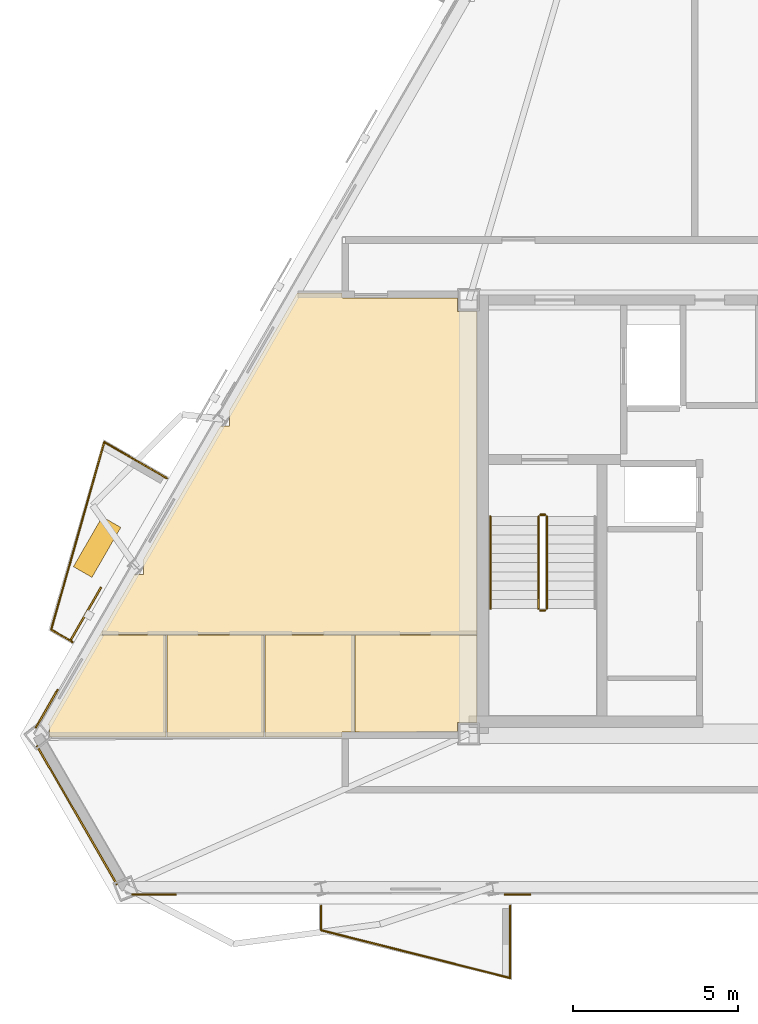
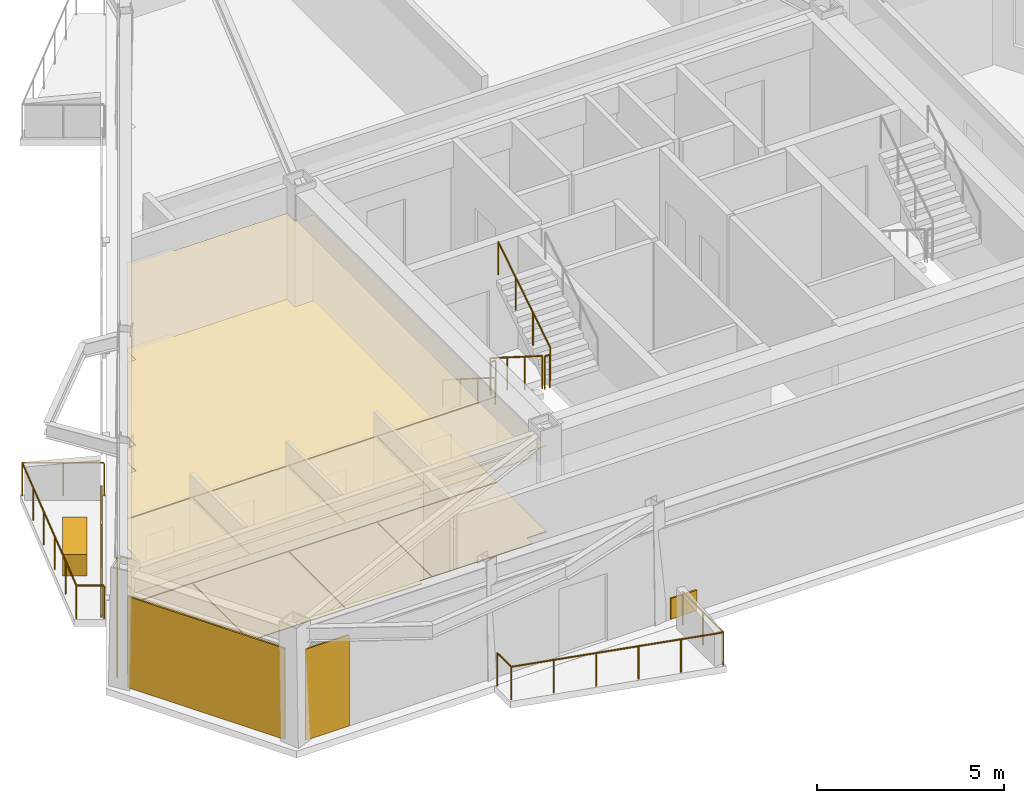
# One storey, part 6 of 9: 15 coverings, 11 railings, 1 shading device.
"""IFC4 building model written with IfcOpenShell, lengths in metres."""

from ifc_helpers import new_model, si_unit, direction, frame, origin, origin_2d, place, context, subcontext, project, spatial, polyline, rectangle, circle, outline, extrude, material, layer, layer_set, type_object, element, save


model = new_model("IFC4")

# Units and contexts
model_context = context("Model", 3, precision=1e-05, world=origin(), true_north=direction((0.0, 1.0)))
body_context = subcontext(model_context, "Body", "Model", "MODEL_VIEW")
ifc_project = project(units=[si_unit("LENGTHUNIT", "METRE"), si_unit("AREAUNIT", "SQUARE_METRE"), si_unit("VOLUMEUNIT", "CUBIC_METRE"), si_unit("PLANEANGLEUNIT", "RADIAN"), si_unit("MASSUNIT", "GRAM", prefix="KILO")], contexts=[model_context])

# Site, building, storey
site_placement = place(None, origin())
site = spatial("IfcSite", under=ifc_project, at=site_placement, CompositionType="ELEMENT")
building_placement = place(site_placement, origin())
building = spatial("IfcBuilding", under=site, at=building_placement, Name="Oramaril Tower", CompositionType="ELEMENT")
storey_placement = place(building_placement, frame((0.0, 0.0, 253.800048828125)))
storey = spatial("IfcBuildingStorey", under=building, at=storey_placement, Name="L67", CompositionType="ELEMENT", Elevation=253.800048828125)

# Coverings
ifc_material_1 = material(Name="Mineral Fibre Acoustic Ceiling")
ifc_layer_1 = layer(ifc_material_1, 0.02001953125)
ifc_layer_set_1 = layer_set([ifc_layer_1], Name="CVT-CEIL")
covering_type_1 = type_object("IfcCoveringType", Name="CVT-CEIL", PredefinedType="CEILING", material=ifc_layer_set_1)
covering_1_placement = place(storey_placement, frame((0.0, 0.0, 2.81201171875)))
element("IfcCovering", 1, at=covering_1_placement, inside=storey, type_object=covering_type_1, Name="L67 Acoustic Suspended Ceiling 4", PredefinedType="CEILING", context=body_context, shape_type="SweptSolid", body=[
    extrude(outline(polyline([(19.214111328125, 15.827392578125), (19.486083984375, 15.827392578125), (19.486083984375, 16.28564453125), (19.478759765625, 16.28564453125), (21.814697265625, 20.331787109375), (22.086669921875, 20.331787109375), (22.086669921875, 20.7841796875), (22.075927734375, 20.7841796875), (24.1416015625, 24.362060546875), (25.5, 24.362060546875), (25.5, 24.239990234375), (25.5, 24.238037109375), (25.50048828125, 24.236083984375), (25.5009765625, 24.234130859375), (25.50146484375, 24.232421875), (25.50244140625, 24.230712890625), (25.50341796875, 24.22900390625), (25.50439453125, 24.227294921875), (25.505859375, 24.225830078125), (25.50732421875, 24.224609375), (25.5087890625, 24.223388671875), (25.510498046875, 24.222412109375), (25.51220703125, 24.221435546875), (25.51416015625, 24.220947265625), (25.51611328125, 24.220458984375), (25.51806640625, 24.22021484375), (25.52001953125, 24.219970703125), (29.0048828125, 24.219970703125), (29.0048828125, 23.804931640625), (29.60009765625, 23.804931640625), (29.60009765625, 14.008056640625), (18.163818359375, 14.008056640625), (19.214111328125, 15.827392578125)])), origin(), (0.0, 0.0, 1.0), 0.02001953125),
])
covering_2_placement = place(storey_placement, frame((0.0, 0.0, 2.81201171875)))
element("IfcCovering", 2, at=covering_2_placement, inside=storey, type_object=covering_type_1, Name="L67 Acoustic Suspended Ceiling 5", PredefinedType="CEILING", context=body_context, shape_type="SweptSolid", body=[
    extrude(outline(polyline([(20.16845703125, 10.907958984375), (16.62744140625, 10.907958984375), (16.62744140625, 11.258056640625), (16.576171875, 11.258056640625), (18.15380859375, 13.99072265625), (18.154296875, 13.990478515625), (18.156005859375, 13.989501953125), (18.15771484375, 13.989013671875), (18.159912109375, 13.98828125), (18.16162109375, 13.988037109375), (18.163818359375, 13.988037109375), (20.16845703125, 13.988037109375), (20.16845703125, 10.907958984375)])), origin(), (0.0, 0.0, 1.0), 0.02001953125),
])
covering_3_placement = place(storey_placement, frame((0.0, 0.0, 2.81201171875)))
element("IfcCovering", 3, at=covering_3_placement, inside=storey, type_object=covering_type_1, Name="L67 Acoustic Suspended Ceiling 6", PredefinedType="CEILING", context=body_context, shape_type="SweptSolid", body=[
    extrude(outline(polyline([(23.13818359375, 10.907958984375), (20.1884765625, 10.907958984375), (20.1884765625, 13.988037109375), (23.13818359375, 13.988037109375), (23.13818359375, 10.907958984375)])), origin(), (0.0, 0.0, 1.0), 0.02001953125),
])
covering_4_placement = place(storey_placement, frame((0.0, 0.0, 2.81201171875)))
element("IfcCovering", 4, at=covering_4_placement, inside=storey, type_object=covering_type_1, Name="L67 Acoustic Suspended Ceiling 7", PredefinedType="CEILING", context=body_context, shape_type="SweptSolid", body=[
    extrude(outline(polyline([(25.8740234375, 11.050048828125), (25.52001953125, 11.050048828125), (25.51806640625, 11.0498046875), (25.51611328125, 11.049560546875), (25.51416015625, 11.049072265625), (25.51220703125, 11.048583984375), (25.510498046875, 11.047607421875), (25.5087890625, 11.046630859375), (25.50732421875, 11.04541015625), (25.505859375, 11.044189453125), (25.50439453125, 11.042724609375), (25.50341796875, 11.041015625), (25.50244140625, 11.039306640625), (25.50146484375, 11.03759765625), (25.5009765625, 11.035888671875), (25.50048828125, 11.033935546875), (25.5, 11.031982421875), (25.5, 11.030029296875), (25.5, 10.907958984375), (23.158203125, 10.907958984375), (23.158203125, 13.988037109375), (25.8740234375, 13.988037109375), (25.8740234375, 11.050048828125)])), origin(), (0.0, 0.0, 1.0), 0.02001953125),
])
covering_5_placement = place(storey_placement, frame((0.0, 0.0, 2.81201171875)))
element("IfcCovering", 5, at=covering_5_placement, inside=storey, type_object=covering_type_1, Name="L67 Acoustic Suspended Ceiling 8", PredefinedType="CEILING", context=body_context, shape_type="SweptSolid", body=[
    extrude(outline(polyline([(29.60009765625, 11.344970703125), (29.0048828125, 11.344970703125), (29.0048828125, 11.050048828125), (25.89404296875, 11.050048828125), (25.89404296875, 13.988037109375), (29.60009765625, 13.988037109375), (29.60009765625, 11.344970703125)])), origin(), (0.0, 0.0, 1.0), 0.02001953125),
])
ifc_material_2 = material(Name="Warm Cream Limestone", Category="masonry")
ifc_layer_2 = layer(ifc_material_2, 0.050048828125)
ifc_layer_set_2 = layer_set([ifc_layer_2], Name="CVT-CLD")
covering_type_2 = type_object("IfcCoveringType", Name="CVT-CLD", PredefinedType="CLADDING", material=ifc_layer_set_2)
covering_6_placement = place(storey_placement, frame((17.46240234375, 8.53125, 0.0400390625), z_axis=(0.0, 0.0, 1.0), x_axis=(0.500006045986, -0.866021913105, 0.0)))
element("IfcCovering", 6, at=covering_6_placement, inside=storey, type_object=covering_type_2, Name="L67 Warm Cream Limestone Cladding", PredefinedType="CLADDING", context=body_context, shape_type="SweptSolid", body=[
    extrude(rectangle(XDim=4.864501953125, YDim=0.050048828125, at=origin_2d()), origin(), (0.0, 0.0, 1.0), 2.97802734375),
])
covering_7_placement = place(storey_placement, frame((19.798828125, 6.124267578125, 0.0400390625), z_axis=(0.0, 0.0, 1.0), x_axis=(1.0, 0.0, 0.0)))
element("IfcCovering", 7, at=covering_7_placement, inside=storey, type_object=covering_type_2, Name="L67 Warm Cream Limestone Cladding", PredefinedType="CLADDING", context=body_context, shape_type="SweptSolid", body=[
    extrude(rectangle(XDim=1.35009765625, YDim=0.050048828125, at=origin_2d()), origin(), (0.0, 0.0, 1.0), 2.97802734375),
])
covering_8_placement = place(storey_placement, frame((30.821533203125, 6.124267578125, 0.0400390625), z_axis=(0.0, 0.0, 1.0), x_axis=(1.0, 0.0, 0.0)))
element("IfcCovering", 8, at=covering_8_placement, inside=storey, type_object=covering_type_2, Name="L67 Warm Cream Limestone Spandrel Cladding", PredefinedType="CLADDING", context=body_context, shape_type="SweptSolid", body=[
    extrude(rectangle(XDim=0.800048828125, YDim=0.050048828125, at=origin_2d()), origin(), (0.0, 0.0, 1.0), 0.679931640625),
])
covering_9_placement = place(storey_placement, frame((16.546142578125, 11.75830078125, 0.0400390625), z_axis=(0.0, 0.0, 1.0), x_axis=(-0.500001511499, -0.866024531118, 0.0)))
element("IfcCovering", 9, at=covering_9_placement, inside=storey, type_object=covering_type_2, Name="L67 Warm Cream Limestone Cladding", PredefinedType="CLADDING", context=body_context, shape_type="SweptSolid", body=[
    extrude(rectangle(XDim=1.35009765625, YDim=0.050048828125, at=origin_2d()), origin(), (0.0, 0.0, 1.0), 2.97802734375),
])
covering_10_placement = place(storey_placement, frame((18.073486328125, 16.660888671875, 0.0), z_axis=(0.0, 0.0, 1.0), x_axis=(-0.500001511499, -0.866024531118, 0.0)))
element("IfcCovering", 10, at=covering_10_placement, inside=storey, type_object=covering_type_2, Name="L67 Structural Tree Planter Box L67-BAL-NW2", PredefinedType="CLADDING", context=body_context, shape_type="SweptSolid", body=[
    extrude(rectangle(XDim=1.75, YDim=0.64990234375, at=origin_2d()), origin(), (0.0, 0.0, 1.0), 0.699951171875),
])
ifc_material_3 = material(Name="Honed Quartzite Stone Flooring", Category="masonry")
ifc_layer_3 = layer(ifc_material_3, 0.02490234375)
ifc_layer_set_3 = layer_set([ifc_layer_3], Name="CVT-FLR")
covering_type_3 = type_object("IfcCoveringType", Name="CVT-FLR", PredefinedType="FLOORING", material=ifc_layer_set_3)
covering_11_placement = place(storey_placement, origin())
element("IfcCovering", 11, at=covering_11_placement, inside=storey, type_object=covering_type_3, Name="L67 Honed Stone Floor Finish 4", PredefinedType="FLOORING", context=body_context, shape_type="SweptSolid", body=[
    extrude(outline(polyline([(19.214111328125, 15.827392578125), (19.486083984375, 15.827392578125), (19.486083984375, 16.28564453125), (19.478759765625, 16.28564453125), (21.814697265625, 20.331787109375), (22.086669921875, 20.331787109375), (22.086669921875, 20.7841796875), (22.075927734375, 20.7841796875), (24.1416015625, 24.362060546875), (25.5, 24.362060546875), (25.5, 24.239990234375), (25.5, 24.238037109375), (25.50048828125, 24.236083984375), (25.5009765625, 24.234130859375), (25.50146484375, 24.232421875), (25.50244140625, 24.230712890625), (25.50341796875, 24.22900390625), (25.50439453125, 24.227294921875), (25.505859375, 24.225830078125), (25.50732421875, 24.224609375), (25.5087890625, 24.223388671875), (25.510498046875, 24.222412109375), (25.51220703125, 24.221435546875), (25.51416015625, 24.220947265625), (25.51611328125, 24.220458984375), (25.51806640625, 24.22021484375), (25.52001953125, 24.219970703125), (29.0048828125, 24.219970703125), (29.0048828125, 23.804931640625), (29.60009765625, 23.804931640625), (29.60009765625, 14.008056640625), (18.163818359375, 14.008056640625), (19.214111328125, 15.827392578125)])), origin(), (0.0, 0.0, 1.0), 0.02490234375),
])
covering_12_placement = place(storey_placement, origin())
element("IfcCovering", 12, at=covering_12_placement, inside=storey, type_object=covering_type_3, Name="L67 Honed Stone Floor Finish 5", PredefinedType="FLOORING", context=body_context, shape_type="SweptSolid", body=[
    extrude(outline(polyline([(20.16845703125, 10.907958984375), (16.62744140625, 10.907958984375), (16.62744140625, 11.258056640625), (16.576171875, 11.258056640625), (18.15380859375, 13.99072265625), (18.154296875, 13.990478515625), (18.156005859375, 13.989501953125), (18.15771484375, 13.989013671875), (18.159912109375, 13.98828125), (18.16162109375, 13.988037109375), (18.163818359375, 13.988037109375), (20.16845703125, 13.988037109375), (20.16845703125, 10.907958984375)])), origin(), (0.0, 0.0, 1.0), 0.02490234375),
])
covering_13_placement = place(storey_placement, origin())
element("IfcCovering", 13, at=covering_13_placement, inside=storey, type_object=covering_type_3, Name="L67 Honed Stone Floor Finish 6", PredefinedType="FLOORING", context=body_context, shape_type="SweptSolid", body=[
    extrude(outline(polyline([(23.13818359375, 10.907958984375), (20.1884765625, 10.907958984375), (20.1884765625, 13.988037109375), (23.13818359375, 13.988037109375), (23.13818359375, 10.907958984375)])), origin(), (0.0, 0.0, 1.0), 0.02490234375),
])
covering_14_placement = place(storey_placement, origin())
element("IfcCovering", 14, at=covering_14_placement, inside=storey, type_object=covering_type_3, Name="L67 Honed Stone Floor Finish 7", PredefinedType="FLOORING", context=body_context, shape_type="SweptSolid", body=[
    extrude(outline(polyline([(25.8740234375, 11.050048828125), (25.52001953125, 11.050048828125), (25.51806640625, 11.0498046875), (25.51611328125, 11.049560546875), (25.51416015625, 11.049072265625), (25.51220703125, 11.048583984375), (25.510498046875, 11.047607421875), (25.5087890625, 11.046630859375), (25.50732421875, 11.04541015625), (25.505859375, 11.044189453125), (25.50439453125, 11.042724609375), (25.50341796875, 11.041015625), (25.50244140625, 11.039306640625), (25.50146484375, 11.03759765625), (25.5009765625, 11.035888671875), (25.50048828125, 11.033935546875), (25.5, 11.031982421875), (25.5, 11.030029296875), (25.5, 10.907958984375), (23.158203125, 10.907958984375), (23.158203125, 13.988037109375), (25.8740234375, 13.988037109375), (25.8740234375, 11.050048828125)])), origin(), (0.0, 0.0, 1.0), 0.02490234375),
])
covering_15_placement = place(storey_placement, origin())
element("IfcCovering", 15, at=covering_15_placement, inside=storey, type_object=covering_type_3, Name="L67 Honed Stone Floor Finish 8", PredefinedType="FLOORING", context=body_context, shape_type="SweptSolid", body=[
    extrude(outline(polyline([(29.60009765625, 11.344970703125), (29.0048828125, 11.344970703125), (29.0048828125, 11.050048828125), (25.89404296875, 11.050048828125), (25.89404296875, 13.988037109375), (29.60009765625, 13.988037109375), (29.60009765625, 11.344970703125)])), origin(), (0.0, 0.0, 1.0), 0.02490234375),
])

# Railings
ifc_material_4 = material(Name="Stainless Steel 316L", Category="steel")
railing_type_1 = type_object("IfcRailingType", Name="RLT-GRD", PredefinedType="GUARDRAIL", material=ifc_material_4)
railing_1_placement = place(storey_placement, frame((30.598388671875, 5.7841796875, 0.0)))
element("IfcRailing", 16, at=railing_1_placement, inside=storey, type_object=railing_type_1, Name="L67 Balcony Guardrail L67-BAL-S1.1", PredefinedType="GUARDRAIL", context=body_context, shape_type="SweptSolid", body=[
    extrude(circle(Radius=0.02392578125, at=origin_2d()), frame((0.0, 0.0, 1.076171875), z_axis=(0.0, -1.0, 0.0), x_axis=(1.0, 0.0, 0.0)), (0.0, 0.0, 1.0), 2.19189453125),
    extrude(circle(Radius=0.02099609375, at=origin_2d()), origin(), (0.0, 0.0, 1.0), 1.052001953125),
    extrude(circle(Radius=0.02099609375, at=origin_2d()), frame((0.0, -1.095947265625, 0.0)), (0.0, 0.0, 1.0), 1.052001953125),
    extrude(circle(Radius=0.02099609375, at=origin_2d()), frame((0.0, -2.19189453125, 0.0)), (0.0, 0.0, 1.0), 1.052001953125),
])
railing_2_placement = place(storey_placement, frame((30.598388671875, 3.59228515625, 0.0)))
element("IfcRailing", 17, at=railing_2_placement, inside=storey, type_object=railing_type_1, Name="L67 Balcony Guardrail L67-BAL-S1.2", PredefinedType="GUARDRAIL", context=body_context, shape_type="SweptSolid", body=[
    extrude(circle(Radius=0.02392578125, at=origin_2d()), frame((0.0, 0.0, 1.076171875), z_axis=(-0.969443611257, 0.245314256807, 0.0), x_axis=(-0.245314256807, -0.969443611257, 0.0)), (0.0, 0.0, 1.0), 5.91064453125),
    extrude(circle(Radius=0.02099609375, at=origin_2d()), origin(), (0.0, 0.0, 1.0), 1.052001953125),
    extrude(circle(Radius=0.02099609375, at=origin_2d()), frame((-1.14599609375, 0.2900390625, 0.0)), (0.0, 0.0, 1.0), 1.052001953125),
    extrude(circle(Radius=0.02099609375, at=origin_2d()), frame((-2.2919921875, 0.580078125, 0.0)), (0.0, 0.0, 1.0), 1.052001953125),
    extrude(circle(Radius=0.02099609375, at=origin_2d()), frame((-3.43798828125, 0.869873046875, 0.0)), (0.0, 0.0, 1.0), 1.052001953125),
    extrude(circle(Radius=0.02099609375, at=origin_2d()), frame((-4.583984375, 1.159912109375, 0.0)), (0.0, 0.0, 1.0), 1.052001953125),
    extrude(circle(Radius=0.02099609375, at=origin_2d()), frame((-5.72998046875, 1.449951171875, 0.0)), (0.0, 0.0, 1.0), 1.052001953125),
])
railing_3_placement = place(storey_placement, frame((24.868408203125, 5.042236328125, 0.0)))
element("IfcRailing", 18, at=railing_3_placement, inside=storey, type_object=railing_type_1, Name="L67 Balcony Guardrail L67-BAL-S1.3", PredefinedType="GUARDRAIL", context=body_context, shape_type="SweptSolid", body=[
    extrude(circle(Radius=0.02392578125, at=origin_2d()), frame((0.0, 0.0, 1.076171875), z_axis=(0.0, 1.0, 0.0), x_axis=(-1.0, 0.0, 0.0)), (0.0, 0.0, 1.0), 0.741943359375),
    extrude(circle(Radius=0.02099609375, at=origin_2d()), origin(), (0.0, 0.0, 1.0), 1.052001953125),
    extrude(circle(Radius=0.02099609375, at=origin_2d()), frame((0.0, 0.741943359375, 0.0)), (0.0, 0.0, 1.0), 1.052001953125),
])
railing_4_placement = place(storey_placement, frame((17.32373046875, 13.785400390625, 0.0)))
element("IfcRailing", 19, at=railing_4_placement, inside=storey, type_object=railing_type_1, Name="L67 Balcony Guardrail L67-BAL-NW2.1", PredefinedType="GUARDRAIL", context=body_context, shape_type="SweptSolid", body=[
    extrude(circle(Radius=0.02392578125, at=origin_2d()), frame((0.0, 0.0, 1.076171875), z_axis=(-0.865884080729, 0.500244698863, 0.0), x_axis=(-0.500244698863, -0.865884080729, 0.0)), (0.0, 0.0, 1.0), 0.741943359375),
    extrude(circle(Radius=0.02099609375, at=origin_2d()), origin(), (0.0, 0.0, 1.0), 1.052001953125),
    extrude(circle(Radius=0.02099609375, at=origin_2d()), frame((-0.642333984375, 0.37109375, 0.0)), (0.0, 0.0, 1.0), 1.052001953125),
])
railing_5_placement = place(storey_placement, frame((16.681396484375, 14.156494140625, 0.0)))
element("IfcRailing", 20, at=railing_5_placement, inside=storey, type_object=railing_type_1, Name="L67 Balcony Guardrail L67-BAL-NW2.2", PredefinedType="GUARDRAIL", context=body_context, shape_type="SweptSolid", body=[
    extrude(circle(Radius=0.02392578125, at=origin_2d()), frame((0.0, 0.0, 1.076171875), z_axis=(0.272259686627, 0.962223811303, 0.0), x_axis=(-0.962223811303, 0.272259686627, 0.0)), (0.0, 0.0, 1.0), 5.910400390625),
    extrude(circle(Radius=0.02099609375, at=origin_2d()), origin(), (0.0, 0.0, 1.0), 1.052001953125),
    extrude(circle(Radius=0.02099609375, at=origin_2d()), frame((0.32177734375, 1.137451171875, 0.0)), (0.0, 0.0, 1.0), 1.052001953125),
    extrude(circle(Radius=0.02099609375, at=origin_2d()), frame((0.6435546875, 2.27490234375, 0.0)), (0.0, 0.0, 1.0), 1.052001953125),
    extrude(circle(Radius=0.02099609375, at=origin_2d()), frame((0.965576171875, 3.412109375, 0.0)), (0.0, 0.0, 1.0), 1.052001953125),
    extrude(circle(Radius=0.02099609375, at=origin_2d()), frame((1.287353515625, 4.549560546875, 0.0)), (0.0, 0.0, 1.0), 1.052001953125),
    extrude(circle(Radius=0.02099609375, at=origin_2d()), frame((1.609130859375, 5.68701171875, 0.0)), (0.0, 0.0, 1.0), 1.052001953125),
])
railing_6_placement = place(storey_placement, frame((18.29052734375, 19.843505859375, 0.0)))
element("IfcRailing", 21, at=railing_6_placement, inside=storey, type_object=railing_type_1, Name="L67 Balcony Guardrail L67-BAL-NW2.3", PredefinedType="GUARDRAIL", context=body_context, shape_type="SweptSolid", body=[
    extrude(circle(Radius=0.02392578125, at=origin_2d()), frame((0.0, 0.0, 1.076171875), z_axis=(0.866020500697, -0.5000084923, 0.0), x_axis=(0.5000084923, 0.866020500697, 0.0)), (0.0, 0.0, 1.0), 2.19189453125),
    extrude(circle(Radius=0.02099609375, at=origin_2d()), origin(), (0.0, 0.0, 1.0), 1.052001953125),
    extrude(circle(Radius=0.02099609375, at=origin_2d()), frame((0.94921875, -0.5478515625, 0.0)), (0.0, 0.0, 1.0), 1.052001953125),
    extrude(circle(Radius=0.02099609375, at=origin_2d()), frame((1.898193359375, -1.095947265625, 0.0)), (0.0, 0.0, 1.0), 1.052001953125),
])
railing_7_placement = place(storey_placement, frame((31.4599609375, 17.590087890625, 0.17724609375)))
element("IfcRailing", 22, at=railing_7_placement, inside=storey, type_object=railing_type_1, Name="L67 ST-1 stair guard 1", PredefinedType="GUARDRAIL", context=body_context, shape_type="SweptSolid", body=[
    extrude(circle(Radius=0.02392578125, at=origin_2d()), frame((0.0, 0.0, 1.076171875), z_axis=(0.0, -0.844908973607, 0.534910110503), x_axis=(1.0, 0.0, 0.0)), (0.0, 0.0, 1.0), 3.31396484375),
    extrude(circle(Radius=0.02099609375, at=origin_2d()), origin(), (0.0, 0.0, 1.0), 1.052001953125),
    extrude(circle(Radius=0.02099609375, at=origin_2d()), frame((0.0, -0.933349609375, 0.5908203125)), (0.0, 0.0, 1.0), 1.052001953125),
    extrude(circle(Radius=0.02099609375, at=origin_2d()), frame((0.0, -1.86669921875, 1.181884765625)), (0.0, 0.0, 1.0), 1.052001953125),
    extrude(circle(Radius=0.02099609375, at=origin_2d()), frame((0.0, -2.800048828125, 1.772705078125)), (0.0, 0.0, 1.0), 1.052001953125),
])
railing_8_placement = place(storey_placement, frame((31.510009765625, 14.739990234375, 1.949951171875)))
element("IfcRailing", 23, at=railing_8_placement, inside=storey, type_object=railing_type_1, Name="L67 ST-1 stair guard 2", PredefinedType="GUARDRAIL", context=body_context, shape_type="SweptSolid", body=[
    extrude(circle(Radius=0.02392578125, at=origin_2d()), frame((0.0, 0.0, 1.076171875), z_axis=(1.0, 0.0, 0.0), x_axis=(0.0, 1.0, 0.0)), (0.0, 0.0, 1.0), 0.14990234375),
    extrude(circle(Radius=0.02099609375, at=origin_2d()), origin(), (0.0, 0.0, 1.0), 1.052001953125),
    extrude(circle(Radius=0.02099609375, at=origin_2d()), frame((0.14990234375, 0.0, 0.0)), (0.0, 0.0, 1.0), 1.052001953125),
])
railing_9_placement = place(storey_placement, frame((31.7099609375, 14.7900390625, 2.127197265625)))
element("IfcRailing", 24, at=railing_9_placement, inside=storey, type_object=railing_type_1, Name="L67 ST-1 stair guard 3", PredefinedType="GUARDRAIL", context=body_context, shape_type="SweptSolid", body=[
    extrude(circle(Radius=0.02392578125, at=origin_2d()), frame((0.0, 0.0, 1.076171875), z_axis=(0.0, 0.844908973607, 0.534910110503), x_axis=(-1.0, 0.0, 0.0)), (0.0, 0.0, 1.0), 3.31396484375),
    extrude(circle(Radius=0.02099609375, at=origin_2d()), origin(), (0.0, 0.0, 1.0), 1.052001953125),
    extrude(circle(Radius=0.02099609375, at=origin_2d()), frame((0.0, 0.933349609375, 0.5908203125)), (0.0, 0.0, 1.0), 1.052001953125),
    extrude(circle(Radius=0.02099609375, at=origin_2d()), frame((0.0, 1.86669921875, 1.181884765625)), (0.0, 0.0, 1.0), 1.052001953125),
    extrude(circle(Radius=0.02099609375, at=origin_2d()), frame((0.0, 2.800048828125, 1.772705078125)), (0.0, 0.0, 1.0), 1.052001953125),
])
railing_10_placement = place(storey_placement, frame((31.510009765625, 17.639892578125, 0.0)))
element("IfcRailing", 25, at=railing_10_placement, inside=storey, type_object=railing_type_1, Name="L67 ST-1 stair guard 4", PredefinedType="GUARDRAIL", context=body_context, shape_type="SweptSolid", body=[
    extrude(circle(Radius=0.02392578125, at=origin_2d()), frame((0.0, 0.0, 1.076171875), z_axis=(1.0, 0.0, 0.0), x_axis=(0.0, 1.0, 0.0)), (0.0, 0.0, 1.0), 0.14990234375),
    extrude(circle(Radius=0.02099609375, at=origin_2d()), origin(), (0.0, 0.0, 1.0), 1.052001953125),
    extrude(circle(Radius=0.02099609375, at=origin_2d()), frame((0.14990234375, 0.0, 0.0)), (0.0, 0.0, 1.0), 1.052001953125),
])
ifc_material_5 = material(Name="Stainless Steel 316L", Category="steel")
railing_type_2 = type_object("IfcRailingType", Name="RLT-HND", PredefinedType="HANDRAIL", material=ifc_material_5)
railing_11_placement = place(storey_placement, frame((30.0, 17.590087890625, 0.17724609375)))
element("IfcRailing", 26, at=railing_11_placement, inside=storey, type_object=railing_type_2, Name="L67 ST-1 stair handrail 1", PredefinedType="HANDRAIL", context=body_context, shape_type="SweptSolid", body=[
    extrude(circle(Radius=0.02392578125, at=origin_2d()), frame((0.0, 0.0, 0.8759765625), z_axis=(0.0, -0.844908973607, 0.534910110503), x_axis=(1.0, 0.0, 0.0)), (0.0, 0.0, 1.0), 3.31396484375),
    extrude(circle(Radius=0.02099609375, at=origin_2d()), origin(), (0.0, 0.0, 1.0), 0.851806640625),
    extrude(circle(Radius=0.02099609375, at=origin_2d()), frame((0.0, -0.933349609375, 0.5908203125)), (0.0, 0.0, 1.0), 0.851806640625),
    extrude(circle(Radius=0.02099609375, at=origin_2d()), frame((0.0, -1.86669921875, 1.181884765625)), (0.0, 0.0, 1.0), 0.851806640625),
    extrude(circle(Radius=0.02099609375, at=origin_2d()), frame((0.0, -2.800048828125, 1.772705078125)), (0.0, 0.0, 1.0), 0.851806640625),
])

# Shading device
shading_device_placement = place(storey_placement, frame((17.737548828125, 14.645751953125, -0.02001953125), z_axis=(0.0, 0.0, 1.0), x_axis=(-0.500001511499, -0.866024531118, 0.0)))
element("IfcShadingDevice", 27, at=shading_device_placement, inside=storey, Name="L67 Perforated Ceramic Solar Screen", ObjectType="SCREEN", PredefinedType="USERDEFINED", context=body_context, shape_type="SweptSolid", body=[
    extrude(rectangle(XDim=1.8330078125, YDim=0.050048828125, at=origin_2d()), origin(), (0.0, 0.0, 1.0), 3.05810546875),
])

save(model, "model.ifc")
